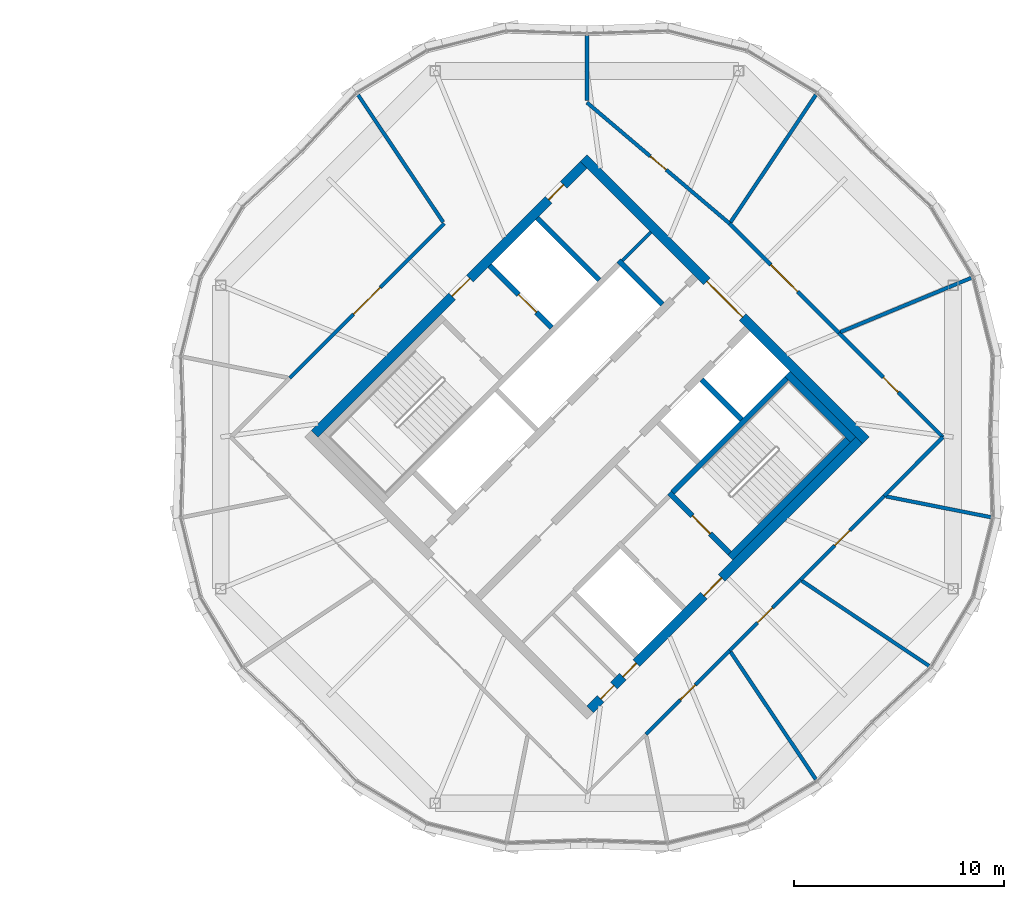
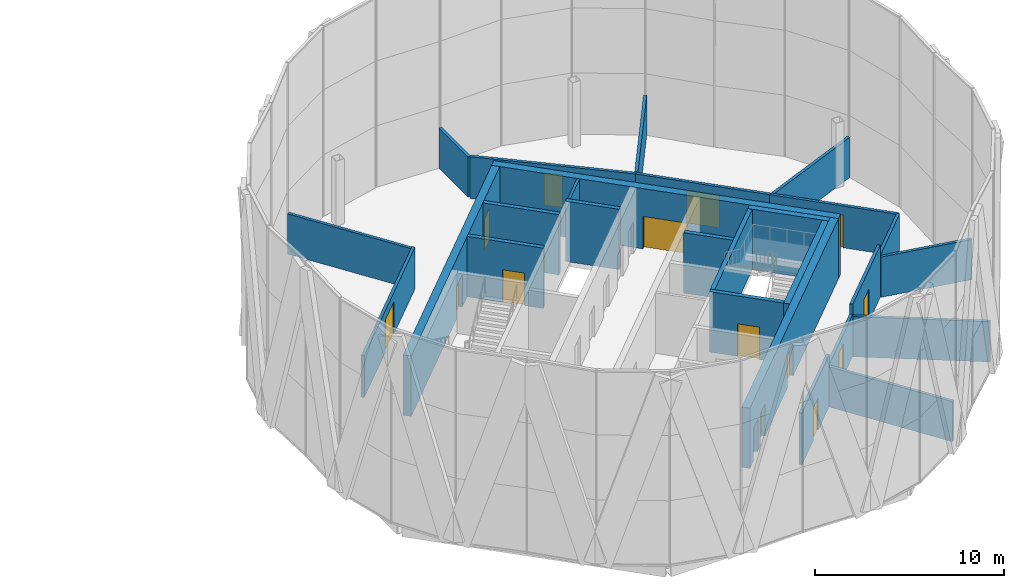
# One storey, part 20 of 23: 27 walls, 15 doors, 15 openings.
"""IFC4 building model written with IfcOpenShell, lengths in metres."""

from ifc_helpers import new_model, si_unit, direction, frame, frame_2d, origin, place, context, subcontext, project, spatial, rectangle, extrude, material, layer, layer_set, type_object, element, fill, save


model = new_model("IFC4")

# Units and contexts
model_context = context("Model", 3, precision=1e-05, world=origin(), true_north=direction((0.0, 1.0)))
body_context = subcontext(model_context, "Body", "Model", "MODEL_VIEW")
ifc_project = project(units=[si_unit("LENGTHUNIT", "METRE"), si_unit("AREAUNIT", "SQUARE_METRE"), si_unit("VOLUMEUNIT", "CUBIC_METRE"), si_unit("PLANEANGLEUNIT", "RADIAN"), si_unit("MASSUNIT", "GRAM", prefix="KILO")], contexts=[model_context])

# Site, building, storey
site_placement = place(None, origin())
site = spatial("IfcSite", under=ifc_project, at=site_placement, CompositionType="ELEMENT")
building_placement = place(site_placement, origin())
building = spatial("IfcBuilding", under=site, at=building_placement, Name="Ogive Gate Towers", CompositionType="ELEMENT")
storey_placement = place(building_placement, frame((0.0, 0.0, 256.199951171875)))
storey = spatial("IfcBuildingStorey", under=building, at=storey_placement, Name="L60", CompositionType="ELEMENT", Elevation=256.199951171875)

# Walls
ifc_material_1 = material(Name="Gypsum board acoustic partition")
ifc_layer_1 = layer(ifc_material_1, 0.175048828125)
ifc_layer_set_1 = layer_set([ifc_layer_1], Name="Acoustic partition 175")
wall_type_1 = type_object("IfcWallType", Name="Acoustic partition 175", PredefinedType="PARTITIONING", material=ifc_layer_set_1)
wall_1_placement = place(storey_placement, frame((54.29296875, 7.5771484375, 0.0), z_axis=(0.0, 0.0, 1.0), x_axis=(-0.923879560548, -0.382683364678, 0.0)))
element("IfcWall", 1, at=wall_1_placement, inside=storey, type_object=wall_type_1, Name="Partition T2-L60-001", PredefinedType="PARTITIONING", context=body_context, shape_type="SweptSolid", body=[
    extrude(rectangle(XDim=6.741455078125, YDim=0.175048828125, at=frame_2d((3.37060546875, 0.0))), origin(), (0.0, 0.0, 1.0), 2.60009765625),
])
wall_2_placement = place(storey_placement, frame((46.896484375, 16.291259765625, 0.0), z_axis=(0.0, 0.0, 1.0), x_axis=(-0.55596678997, -0.83120450459, 0.0)))
element("IfcWall", 2, at=wall_2_placement, inside=storey, type_object=wall_type_1, Name="Partition T2-L60-002", PredefinedType="PARTITIONING", context=body_context, shape_type="SweptSolid", body=[
    extrude(rectangle(XDim=7.291259765625, YDim=0.175048828125, at=frame_2d((3.6455078125, 0.0))), origin(), (0.0, 0.0, 1.0), 2.60009765625),
])
wall_3_placement = place(storey_placement, frame((36.0, 19.09912109375, 0.0), z_axis=(0.0, 0.0, 1.0), x_axis=(0.0, -1.0, 0.0)))
element("IfcWall", 3, at=wall_3_placement, inside=storey, type_object=wall_type_1, Name="Partition T2-L60-003", PredefinedType="PARTITIONING", context=body_context, shape_type="SweptSolid", body=[
    extrude(rectangle(XDim=3.091552734375, YDim=0.175048828125, at=frame_2d((1.5458984375, 0.0))), origin(), (0.0, 0.0, 1.0), 2.60009765625),
])
for number, where, z_axis, x_axis, name in (
    (4, (25.103515625, 16.291259765625, 0.0), (0.0, 0.0, 1.0), (0.55596678997, -0.83120450459, 0.0), "Partition T2-L60-004"),
    (5, (46.896484375, -16.291259765625, 0.0), (0.0, 0.0, 1.0), (-0.55596678997, 0.83120450459, 0.0), "Partition T2-L60-010"),
    (6, (52.291259765625, -10.896484375, 0.0), (0.0, 0.0, 1.0), (-0.83120450459, 0.55596678997, 0.0), "Partition T2-L60-011"),
):
    element("IfcWall", number, at=place(storey_placement, frame(where, z_axis=z_axis, x_axis=x_axis)), inside=storey, type_object=wall_type_1, Name=name, PredefinedType="PARTITIONING", context=body_context, shape_type="SweptSolid", body=[
        extrude(rectangle(XDim=7.291259765625, YDim=0.175048828125, at=frame_2d((3.6455078125, 0.0))), origin(), (0.0, 0.0, 1.0), 2.60009765625),
    ])
wall_4_placement = place(storey_placement, frame((55.224609375, -3.814697265625, 0.0), z_axis=(0.0, 0.0, 1.0), x_axis=(-0.980874659821, 0.194640442152, 0.0)))
element("IfcWall", 7, at=wall_4_placement, inside=storey, type_object=wall_type_1, Name="Partition T2-L60-012", PredefinedType="PARTITIONING", context=body_context, shape_type="SweptSolid", body=[
    extrude(rectangle(XDim=5.09130859375, YDim=0.175048828125, at=frame_2d((2.545654296875, 0.0))), origin(), (0.0, 0.0, 1.0), 2.60009765625),
])

# Wall, opening, door
wall_5_placement = place(storey_placement, frame((42.794189453125, -10.157958984375, 0.0), z_axis=(0.0, 0.0, 1.0), x_axis=(0.707106781187, 0.707106781187, 0.0)))
wall_5 = element("IfcWall", 8, at=wall_5_placement, inside=storey, type_object=wall_type_1, Name="Partition T2-L60-013", PredefinedType="PARTITIONING", context=body_context, shape_type="SweptSolid", body=[
    extrude(rectangle(XDim=4.757080078125, YDim=0.175048828125, at=frame_2d((2.37841796875, 0.0))), origin(), (0.0, 0.0, 1.0), 2.699951171875),
])
opening_1_placement = place(wall_5_placement, frame((1.87890625, 0.0, 0.0)))
opening_1 = element("IfcOpeningElement", 9, at=opening_1_placement, cuts=wall_5, Name="Opening T2-L60-D01", PredefinedType="OPENING", context=body_context, shape_type="SweptSolid", body=[
    extrude(rectangle(XDim=1.0, YDim=2.10009765625, at=frame_2d((0.5, 1.050048828125))), frame((0.0, 0.09765625, 0.0), z_axis=(0.0, -1.0, 0.0), x_axis=(1.0, 0.0, 0.0)), (0.0, 0.0, 1.0), 0.195068359375),
])
ifc_material_2 = material(Name="Timber door", Category="wood")
door_type_1 = type_object("IfcDoorType", Name="Door 1000", OperationType="NOTDEFINED", PredefinedType="DOOR", material=ifc_material_2)
door_1_placement = place(opening_1_placement, origin())
door_1 = element("IfcDoor", 10, at=door_1_placement, inside=storey, type_object=door_type_1, Name="Door T2-L60-D01", OperationType="SINGLE_SWING_RIGHT", OverallHeight=2.10009765625, OverallWidth=1.0, PredefinedType="DOOR", context=body_context, shape_type="SweptSolid", body=[
    extrude(rectangle(XDim=1.0, YDim=2.10009765625, at=frame_2d((0.5, 1.050048828125))), frame((0.0, 0.02490234375, 0.0), z_axis=(0.0, -1.0, 0.0), x_axis=(1.0, 0.0, 0.0)), (0.0, 0.0, 1.0), 0.050048828125),
])
fill(opening_1, door_1)

wall_6_placement = place(storey_placement, frame((46.157958984375, -6.794189453125, 0.0), z_axis=(0.0, 0.0, 1.0), x_axis=(0.707041832537, 0.707171723871, 0.0)))
wall_6 = element("IfcWall", 11, at=wall_6_placement, inside=storey, type_object=wall_type_1, Name="Partition T2-L60-014", PredefinedType="PARTITIONING", context=body_context, shape_type="SweptSolid", body=[
    extrude(rectangle(XDim=5.638671875, YDim=0.175048828125, at=frame_2d((2.8193359375, 0.0))), origin(), (0.0, 0.0, 1.0), 3.35009765625),
])
opening_2_placement = place(wall_6_placement, frame((2.319091796875, 0.0, 0.0)))
opening_2 = element("IfcOpeningElement", 12, at=opening_2_placement, cuts=wall_6, Name="Opening T2-L60-D02", PredefinedType="OPENING", context=body_context, shape_type="SweptSolid", body=[
    extrude(rectangle(XDim=1.0, YDim=2.10009765625, at=frame_2d((0.5, 1.050048828125))), frame((0.0, 0.09765625, 0.0), z_axis=(0.0, -1.0, 0.0), x_axis=(1.0, 0.0, 0.0)), (0.0, 0.0, 1.0), 0.195068359375),
])
door_2_placement = place(opening_2_placement, origin())
door_2 = element("IfcDoor", 13, at=door_2_placement, inside=storey, type_object=door_type_1, Name="Door T2-L60-D02", OperationType="SINGLE_SWING_RIGHT", OverallHeight=2.10009765625, OverallWidth=1.0, PredefinedType="DOOR", context=body_context, shape_type="SweptSolid", body=[
    extrude(rectangle(XDim=1.0, YDim=2.10009765625, at=frame_2d((0.5, 1.050048828125))), frame((0.0, 0.02490234375, 0.0), z_axis=(0.0, -1.0, 0.0), x_axis=(1.0, 0.0, 0.0)), (0.0, 0.0, 1.0), 0.050048828125),
])
fill(opening_2, door_2)

wall_7_placement = place(storey_placement, frame((52.9423828125, 0.0, 0.0), z_axis=(0.0, 0.0, 1.0), x_axis=(-0.706741328915, 0.70747204468, 0.0)))
wall_7 = element("IfcWall", 14, at=wall_7_placement, inside=storey, type_object=wall_type_1, Name="Partition T2-L60-015", PredefinedType="PARTITIONING", context=body_context, shape_type="SweptSolid", body=[
    extrude(rectangle(XDim=7.016357421875, YDim=0.175048828125, at=frame_2d((3.50830078125, 0.0))), origin(), (0.0, 0.0, 1.0), 2.699951171875),
])
opening_3_placement = place(wall_7_placement, frame((3.008056640625, 0.0, 0.0)))
opening_3 = element("IfcOpeningElement", 15, at=opening_3_placement, cuts=wall_7, Name="Opening T2-L60-D03", PredefinedType="OPENING", context=body_context, shape_type="SweptSolid", body=[
    extrude(rectangle(XDim=1.0, YDim=2.10009765625, at=frame_2d((0.5, 1.050048828125))), frame((0.0, 0.09765625, 0.0), z_axis=(0.0, -1.0, 0.0), x_axis=(1.0, 0.0, 0.0)), (0.0, 0.0, 1.0), 0.195068359375),
])
door_3_placement = place(opening_3_placement, origin())
door_3 = element("IfcDoor", 16, at=door_3_placement, inside=storey, type_object=door_type_1, Name="Door T2-L60-D03", OperationType="SINGLE_SWING_RIGHT", OverallHeight=2.10009765625, OverallWidth=1.0, PredefinedType="DOOR", context=body_context, shape_type="SweptSolid", body=[
    extrude(rectangle(XDim=1.0, YDim=2.10009765625, at=frame_2d((0.5, 1.050048828125))), frame((0.0, 0.02490234375, 0.0), z_axis=(0.0, -1.0, 0.0), x_axis=(1.0, 0.0, 0.0)), (0.0, 0.0, 1.0), 0.050048828125),
])
fill(opening_3, door_3)

# Wall
wall_8_placement = place(storey_placement, frame((50.144775390625, -2.806640625, 0.0), z_axis=(0.0, 0.0, 1.0), x_axis=(0.705966114567, 0.708245610705, 0.0)))
element("IfcWall", 17, at=wall_8_placement, inside=storey, type_object=wall_type_1, Name="Partition T2-L60-016", PredefinedType="PARTITIONING", context=body_context, shape_type="SweptSolid", body=[
    extrude(rectangle(XDim=3.962890625, YDim=0.175048828125, at=frame_2d((1.9814453125, 0.0))), origin(), (0.0, 0.0, 1.0), 2.699951171875),
])

# Wall, opening, door
wall_9_placement = place(storey_placement, frame((47.983642578125, 4.9638671875, 0.0), z_axis=(0.0, 0.0, 1.0), x_axis=(-0.706790822746, 0.70742259851, 0.0)))
wall_9 = element("IfcWall", 18, at=wall_9_placement, inside=storey, type_object=wall_type_1, Name="Partition T2-L60-017", PredefinedType="PARTITIONING", context=body_context, shape_type="SweptSolid", body=[
    extrude(rectangle(XDim=7.34228515625, YDim=0.175048828125, at=frame_2d((3.671142578125, 0.0))), origin(), (0.0, 0.0, 1.0), 2.699951171875),
])
opening_4_placement = place(wall_9_placement, frame((2.77099609375, 0.0, 0.0)))
opening_4 = element("IfcOpeningElement", 19, at=opening_4_placement, cuts=wall_9, Name="Opening T2-L60-D04", PredefinedType="OPENING", context=body_context, shape_type="SweptSolid", body=[
    extrude(rectangle(XDim=1.800048828125, YDim=2.10009765625, at=frame_2d((0.89990234375, 1.050048828125))), frame((0.0, 0.09765625, 0.0), z_axis=(0.0, -1.0, 0.0), x_axis=(1.0, 0.0, 0.0)), (0.0, 0.0, 1.0), 0.195068359375),
])
door_type_2 = type_object("IfcDoorType", Name="Door pair 1800", OperationType="NOTDEFINED", PredefinedType="DOOR", material=ifc_material_2)
door_4_placement = place(opening_4_placement, origin())
door_4 = element("IfcDoor", 20, at=door_4_placement, inside=storey, type_object=door_type_2, Name="Door T2-L60-D04", OperationType="DOUBLE_DOOR_DOUBLE_SWING", OverallHeight=2.10009765625, OverallWidth=1.800048828125, PredefinedType="DOOR", context=body_context, shape_type="SweptSolid", body=[
    extrude(rectangle(XDim=1.800048828125, YDim=2.10009765625, at=frame_2d((0.89990234375, 1.050048828125))), frame((0.0, 0.02490234375, 0.0), z_axis=(0.0, -1.0, 0.0), x_axis=(1.0, 0.0, 0.0)), (0.0, 0.0, 1.0), 0.050048828125),
])
fill(opening_4, door_4)

wall_10_placement = place(storey_placement, frame((42.794189453125, 10.157958984375, 0.0), z_axis=(0.0, 0.0, 1.0), x_axis=(-0.762650867546, 0.646810369608, 0.0)))
wall_10 = element("IfcWall", 21, at=wall_10_placement, inside=storey, type_object=wall_type_1, Name="Partition T2-L60-018", PredefinedType="PARTITIONING", context=body_context, shape_type="SweptSolid", body=[
    extrude(rectangle(XDim=8.90869140625, YDim=0.175048828125, at=frame_2d((4.454345703125, 0.0))), origin(), (0.0, 0.0, 1.0), 2.699951171875),
])
opening_5_placement = place(wall_10_placement, frame((3.9541015625, 0.0, 0.0)))
opening_5 = element("IfcOpeningElement", 22, at=opening_5_placement, cuts=wall_10, Name="Opening T2-L60-D05", PredefinedType="OPENING", context=body_context, shape_type="SweptSolid", body=[
    extrude(rectangle(XDim=1.0, YDim=2.10009765625, at=frame_2d((0.5, 1.050048828125))), frame((0.0, 0.09765625, 0.0), z_axis=(0.0, -1.0, 0.0), x_axis=(1.0, 0.0, 0.0)), (0.0, 0.0, 1.0), 0.195068359375),
])
door_5_placement = place(opening_5_placement, origin())
door_5 = element("IfcDoor", 23, at=door_5_placement, inside=storey, type_object=door_type_1, Name="Door T2-L60-D05", OperationType="SINGLE_SWING_LEFT", OverallHeight=2.10009765625, OverallWidth=1.0, PredefinedType="DOOR", context=body_context, shape_type="SweptSolid", body=[
    extrude(rectangle(XDim=1.0, YDim=2.10009765625, at=frame_2d((0.5, 1.050048828125))), frame((0.0, 0.02490234375, 0.0), z_axis=(0.0, -1.0, 0.0), x_axis=(1.0, 0.0, 0.0)), (0.0, 0.0, 1.0), 0.050048828125),
])
fill(opening_5, door_5)

wall_11_placement = place(storey_placement, frame((29.205810546875, 10.157958984375, 0.0), z_axis=(0.0, 0.0, 1.0), x_axis=(-0.707071553548, -0.70714200707, 0.0)))
wall_11 = element("IfcWall", 24, at=wall_11_placement, inside=storey, type_object=wall_type_1, Name="Partition T2-L60-019", PredefinedType="PARTITIONING", context=body_context, shape_type="SweptSolid", body=[
    extrude(rectangle(XDim=10.395751953125, YDim=0.175048828125, at=frame_2d((5.19775390625, 0.0))), origin(), (0.0, 0.0, 1.0), 2.699951171875),
])
opening_6_placement = place(wall_11_placement, frame((4.298095703125, 0.0, 0.0)))
opening_6 = element("IfcOpeningElement", 25, at=opening_6_placement, cuts=wall_11, Name="Opening T2-L60-D06", PredefinedType="OPENING", context=body_context, shape_type="SweptSolid", body=[
    extrude(rectangle(XDim=1.800048828125, YDim=2.10009765625, at=frame_2d((0.89990234375, 1.050048828125))), frame((0.0, 0.09765625, 0.0), z_axis=(0.0, -1.0, 0.0), x_axis=(1.0, 0.0, 0.0)), (0.0, 0.0, 1.0), 0.195068359375),
])
door_6_placement = place(opening_6_placement, origin())
door_6 = element("IfcDoor", 26, at=door_6_placement, inside=storey, type_object=door_type_2, Name="Door T2-L60-D06", OperationType="DOUBLE_DOOR_DOUBLE_SWING", OverallHeight=2.10009765625, OverallWidth=1.800048828125, PredefinedType="DOOR", context=body_context, shape_type="SweptSolid", body=[
    extrude(rectangle(XDim=1.800048828125, YDim=2.10009765625, at=frame_2d((0.89990234375, 1.050048828125))), frame((0.0, 0.02490234375, 0.0), z_axis=(0.0, -1.0, 0.0), x_axis=(1.0, 0.0, 0.0)), (0.0, 0.0, 1.0), 0.050048828125),
])
fill(opening_6, door_6)

wall_12_placement = place(storey_placement, frame((38.806640625, -14.144775390625, 0.0), z_axis=(0.0, 0.0, 1.0), x_axis=(0.707171723871, 0.707041832537, 0.0)))
wall_12 = element("IfcWall", 27, at=wall_12_placement, inside=storey, type_object=wall_type_1, Name="Partition T2-L60-026", PredefinedType="PARTITIONING", context=body_context, shape_type="SweptSolid", body=[
    extrude(rectangle(XDim=5.638671875, YDim=0.175048828125, at=frame_2d((2.8193359375, 0.0))), origin(), (0.0, 0.0, 1.0), 3.35009765625),
])
opening_7_placement = place(wall_12_placement, frame((2.319091796875, 0.0, 0.0)))
opening_7 = element("IfcOpeningElement", 28, at=opening_7_placement, cuts=wall_12, Name="Opening T2-L60-D11", PredefinedType="OPENING", context=body_context, shape_type="SweptSolid", body=[
    extrude(rectangle(XDim=1.0, YDim=2.10009765625, at=frame_2d((0.5, 1.050048828125))), frame((0.0, 0.09765625, 0.0), z_axis=(0.0, -1.0, 0.0), x_axis=(1.0, 0.0, 0.0)), (0.0, 0.0, 1.0), 0.195068359375),
])
door_7_placement = place(opening_7_placement, origin())
door_7 = element("IfcDoor", 29, at=door_7_placement, inside=storey, type_object=door_type_1, Name="Door T2-L60-D11", OperationType="SINGLE_SWING_RIGHT", OverallHeight=2.10009765625, OverallWidth=1.0, PredefinedType="DOOR", context=body_context, shape_type="SweptSolid", body=[
    extrude(rectangle(XDim=1.0, YDim=2.10009765625, at=frame_2d((0.5, 1.050048828125))), frame((0.0, 0.02490234375, 0.0), z_axis=(0.0, -1.0, 0.0), x_axis=(1.0, 0.0, 0.0)), (0.0, 0.0, 1.0), 0.050048828125),
])
fill(opening_7, door_7)

# Wall, openings, doors
ifc_material_3 = material(Name="Concrete C60/75", Category="concrete")
ifc_layer_2 = layer(ifc_material_3, 0.449951171875)
ifc_layer_set_2 = layer_set([ifc_layer_2], Name="Core wall 450 mm")
wall_type_2 = type_object("IfcWallType", Name="Core wall 450 mm", PredefinedType="SHEAR", material=ifc_layer_set_2)
wall_13_placement = place(storey_placement, frame((36.1591796875, -12.957763671875, 0.0), z_axis=(0.0, 0.0, 1.0), x_axis=(0.707106781187, 0.707106781187, 0.0)))
wall_13 = element("IfcWall", 30, at=wall_13_placement, inside=storey, type_object=wall_type_2, Name="T2 L60 Core wall 450 mm", PredefinedType="SHEAR", context=body_context, shape_type="SweptSolid", body=[
    extrude(rectangle(XDim=18.099853515625, YDim=0.449951171875, at=frame_2d((9.0498046875, 0.0))), origin(), (0.0, 0.0, 1.0), 3.900146484375),
])
opening_8_placement = place(wall_13_placement, frame((7.64990234375, 0.0, 0.0)))
opening_8 = element("IfcOpeningElement", 31, at=opening_8_placement, cuts=wall_13, Name="Opening KD-T2-L60-19", PredefinedType="OPENING", context=body_context, shape_type="SweptSolid", body=[
    extrude(rectangle(XDim=1.199951171875, YDim=2.10009765625, at=frame_2d((0.60009765625, 1.050048828125))), frame((0.0, 0.23486328125, 0.0), z_axis=(0.0, -1.0, 0.0), x_axis=(1.0, 0.0, 0.0)), (0.0, 0.0, 1.0), 0.469970703125),
])
opening_9_placement = place(wall_13_placement, frame((0.699951171875, 0.0, 0.0)))
opening_9 = element("IfcOpeningElement", 32, at=opening_9_placement, cuts=wall_13, Name="Opening KD-T2-L60-21", PredefinedType="OPENING", context=body_context, shape_type="SweptSolid", body=[
    extrude(rectangle(XDim=0.89990234375, YDim=2.10009765625, at=frame_2d((0.449951171875, 1.050048828125))), frame((0.0, 0.23486328125, 0.0), z_axis=(0.0, -1.0, 0.0), x_axis=(1.0, 0.0, 0.0)), (0.0, 0.0, 1.0), 0.469970703125),
])
opening_10_placement = place(wall_13_placement, frame((2.199951171875, 0.0, 0.0)))
opening_10 = element("IfcOpeningElement", 33, at=opening_10_placement, cuts=wall_13, Name="Opening KD-T2-L60-22", PredefinedType="OPENING", context=body_context, shape_type="SweptSolid", body=[
    extrude(rectangle(XDim=0.89990234375, YDim=2.10009765625, at=frame_2d((0.449951171875, 1.050048828125))), frame((0.0, 0.23486328125, 0.0), z_axis=(0.0, -1.0, 0.0), x_axis=(1.0, 0.0, 0.0)), (0.0, 0.0, 1.0), 0.469970703125),
])
door_type_3 = type_object("IfcDoorType", Name="Core WC door 900 x 2100", OperationType="NOTDEFINED", PredefinedType="DOOR", material=ifc_material_2)
door_8_placement = place(opening_9_placement, origin())
door_8 = element("IfcDoor", 34, at=door_8_placement, inside=storey, type_object=door_type_3, Name="T2 L60 Core door", OperationType="SINGLE_SWING_RIGHT", OverallHeight=2.10009765625, OverallWidth=0.89990234375, PredefinedType="DOOR", context=body_context, shape_type="SweptSolid", body=[
    extrude(rectangle(XDim=0.89990234375, YDim=2.10009765625, at=frame_2d((0.449951171875, 1.050048828125))), frame((0.0, 0.02490234375, 0.0), z_axis=(0.0, -1.0, 0.0), x_axis=(1.0, 0.0, 0.0)), (0.0, 0.0, 1.0), 0.050048828125),
])
fill(opening_9, door_8)
door_9_placement = place(opening_10_placement, origin())
door_9 = element("IfcDoor", 35, at=door_9_placement, inside=storey, type_object=door_type_3, Name="T2 L60 Core door", OperationType="SINGLE_SWING_LEFT", OverallHeight=2.10009765625, OverallWidth=0.89990234375, PredefinedType="DOOR", context=body_context, shape_type="SweptSolid", body=[
    extrude(rectangle(XDim=0.89990234375, YDim=2.10009765625, at=frame_2d((0.449951171875, 1.050048828125))), frame((0.0, 0.02490234375, 0.0), z_axis=(0.0, -1.0, 0.0), x_axis=(1.0, 0.0, 0.0)), (0.0, 0.0, 1.0), 0.050048828125),
])
fill(opening_10, door_9)
ifc_material_4 = material(Name="Steel fire door", Category="steel")
door_type_4 = type_object("IfcDoorType", Name="Core door FD60S 1200 x 2100", OperationType="NOTDEFINED", PredefinedType="DOOR", material=ifc_material_4)
door_10_placement = place(opening_8_placement, origin())
door_10 = element("IfcDoor", 36, at=door_10_placement, inside=storey, type_object=door_type_4, Name="T2 L60 Fire-fighting lobby door", OperationType="SINGLE_SWING_RIGHT", OverallHeight=2.10009765625, OverallWidth=1.199951171875, PredefinedType="DOOR", context=body_context, shape_type="SweptSolid", body=[
    extrude(rectangle(XDim=1.199951171875, YDim=2.10009765625, at=frame_2d((0.60009765625, 1.050048828125))), frame((0.0, 0.02490234375, 0.0), z_axis=(0.0, -1.0, 0.0), x_axis=(1.0, 0.0, 0.0)), (0.0, 0.0, 1.0), 0.050048828125),
])
fill(opening_8, door_10)

wall_14_placement = place(storey_placement, frame((23.042236328125, 0.1591796875, 0.0), z_axis=(0.0, 0.0, 1.0), x_axis=(0.707106781187, 0.707106781187, 0.0)))
wall_14 = element("IfcWall", 37, at=wall_14_placement, inside=storey, type_object=wall_type_2, Name="T2 L60 Core wall 450 mm", PredefinedType="SHEAR", context=body_context, shape_type="SweptSolid", body=[
    extrude(rectangle(XDim=18.099853515625, YDim=0.449951171875, at=frame_2d((9.0498046875, 0.0))), origin(), (0.0, 0.0, 1.0), 3.900146484375),
])
opening_11_placement = place(wall_14_placement, frame((9.25, 0.0, 0.0)))
opening_11 = element("IfcOpeningElement", 38, at=opening_11_placement, cuts=wall_14, Name="Opening KD-T2-L60-18", PredefinedType="OPENING", context=body_context, shape_type="SweptSolid", body=[
    extrude(rectangle(XDim=1.199951171875, YDim=2.10009765625, at=frame_2d((0.60009765625, 1.050048828125))), frame((0.0, 0.23486328125, 0.0), z_axis=(0.0, -1.0, 0.0), x_axis=(1.0, 0.0, 0.0)), (0.0, 0.0, 1.0), 0.469970703125),
])
opening_12_placement = place(wall_14_placement, frame((15.75, 0.0, 0.0)))
opening_12 = element("IfcOpeningElement", 39, at=opening_12_placement, cuts=wall_14, Name="Opening KD-T2-L60-20", PredefinedType="OPENING", context=body_context, shape_type="SweptSolid", body=[
    extrude(rectangle(XDim=1.0, YDim=2.10009765625, at=frame_2d((0.5, 1.050048828125))), frame((0.0, 0.23486328125, 0.0), z_axis=(0.0, -1.0, 0.0), x_axis=(1.0, 0.0, 0.0)), (0.0, 0.0, 1.0), 0.469970703125),
])
door_type_5 = type_object("IfcDoorType", Name="Accessible WC door 1000 x 2100", OperationType="NOTDEFINED", PredefinedType="DOOR", material=ifc_material_2)
door_11_placement = place(opening_12_placement, origin())
door_11 = element("IfcDoor", 40, at=door_11_placement, inside=storey, type_object=door_type_5, Name="T2 L60 Core door", OperationType="SINGLE_SWING_LEFT", OverallHeight=2.10009765625, OverallWidth=1.0, PredefinedType="DOOR", context=body_context, shape_type="SweptSolid", body=[
    extrude(rectangle(XDim=1.0, YDim=2.10009765625, at=frame_2d((0.5, 1.050048828125))), frame((0.0, 0.02490234375, 0.0), z_axis=(0.0, -1.0, 0.0), x_axis=(1.0, 0.0, 0.0)), (0.0, 0.0, 1.0), 0.050048828125),
])
fill(opening_12, door_11)
door_12_placement = place(opening_11_placement, origin())
door_12 = element("IfcDoor", 41, at=door_12_placement, inside=storey, type_object=door_type_4, Name="T2 L60 Fire-fighting lobby door", OperationType="SINGLE_SWING_LEFT", OverallHeight=2.10009765625, OverallWidth=1.199951171875, PredefinedType="DOOR", context=body_context, shape_type="SweptSolid", body=[
    extrude(rectangle(XDim=1.199951171875, YDim=2.10009765625, at=frame_2d((0.60009765625, 1.050048828125))), frame((0.0, 0.02490234375, 0.0), z_axis=(0.0, -1.0, 0.0), x_axis=(1.0, 0.0, 0.0)), (0.0, 0.0, 1.0), 0.050048828125),
])
fill(opening_11, door_12)

# Wall, opening, door
wall_15_placement = place(storey_placement, frame((49.27587890625, -0.1591796875, 0.0), z_axis=(0.0, 0.0, 1.0), x_axis=(-0.707106781187, 0.707106781187, 0.0)))
wall_15 = element("IfcWall", 42, at=wall_15_placement, inside=storey, type_object=wall_type_2, Name="T2 L60 Core wall 450 mm", PredefinedType="SHEAR", context=body_context, shape_type="SweptSolid", body=[
    extrude(rectangle(XDim=19.0, YDim=0.449951171875, at=frame_2d((9.5, 0.0))), origin(), (0.0, 0.0, 1.0), 3.900146484375),
])
opening_13_placement = place(wall_15_placement, frame((8.300048828125, 0.0, 0.0)))
opening_13 = element("IfcOpeningElement", 43, at=opening_13_placement, cuts=wall_15, Name="Opening KD-T2-L60-02", PredefinedType="OPENING", context=body_context, shape_type="SweptSolid", body=[
    extrude(rectangle(XDim=2.39990234375, YDim=2.10009765625, at=frame_2d((1.199951171875, 1.050048828125))), frame((0.0, 0.23486328125, 0.0), z_axis=(0.0, -1.0, 0.0), x_axis=(1.0, 0.0, 0.0)), (0.0, 0.0, 1.0), 0.469970703125),
])
door_type_6 = type_object("IfcDoorType", Name="Core double door FD60S 2400 x 2100", OperationType="DOUBLE_DOOR_SINGLE_SWING", PredefinedType="DOOR", material=ifc_material_4)
door_13_placement = place(opening_13_placement, origin())
door_13 = element("IfcDoor", 44, at=door_13_placement, inside=storey, type_object=door_type_6, Name="T2 L60 Core door double", OperationType="DOUBLE_DOOR_SINGLE_SWING", OverallHeight=2.10009765625, OverallWidth=2.39990234375, PredefinedType="DOOR", context=body_context, shape_type="SweptSolid", body=[
    extrude(rectangle(XDim=2.39990234375, YDim=2.10009765625, at=frame_2d((1.199951171875, 1.050048828125))), frame((0.0, 0.02490234375, 0.0), z_axis=(0.0, -1.0, 0.0), x_axis=(1.0, 0.0, 0.0)), (0.0, 0.0, 1.0), 0.050048828125),
])
fill(opening_13, door_13)

# Walls
ifc_material_5 = material(Name="Gypsum board partition")
ifc_layer_3 = layer(ifc_material_5, 0.14990234375)
ifc_layer_set_3 = layer_set([ifc_layer_3], Name="Room partition 150 mm")
wall_type_3 = type_object("IfcWallType", Name="Room partition 150 mm", PredefinedType="PARTITIONING", material=ifc_layer_set_3)
wall_16_placement = place(storey_placement, frame((37.679443359375, 8.39697265625, 0.0), z_axis=(0.0, 0.0, 1.0), x_axis=(0.707106781187, 0.707106781187, 0.0)))
element("IfcWall", 45, at=wall_16_placement, inside=storey, type_object=wall_type_3, Name="T2 L60 Room partition 150 mm", PredefinedType="PARTITIONING", context=body_context, shape_type="SweptSolid", body=[
    extrude(rectangle(XDim=1.9248046875, YDim=0.14990234375, at=frame_2d((0.96240234375, 0.0))), origin(), (0.0, 0.0, 1.0), 3.900146484375),
])
ifc_layer_4 = layer(ifc_material_3, 0.25)
ifc_layer_set_4 = layer_set([ifc_layer_4], Name="Shaft wall 250 mm")
wall_type_4 = type_object("IfcWallType", Name="Shaft wall 250 mm", PredefinedType="SHEAR", material=ifc_layer_set_4)
wall_17_placement = place(storey_placement, frame((40.08349609375, -2.634033203125, 0.0), z_axis=(0.0, 0.0, 1.0), x_axis=(0.707090876314, 0.707122685701, 0.0)))
element("IfcWall", 46, at=wall_17_placement, inside=storey, type_object=wall_type_4, Name="T2 L60 Shaft wall 250 mm", PredefinedType="SHEAR", context=body_context, shape_type="SweptSolid", body=[
    extrude(rectangle(XDim=7.675048828125, YDim=0.25, at=frame_2d((3.83740234375, 0.0))), origin(), (0.0, 0.0, 1.0), 3.900146484375),
])

# Wall, opening, door
wall_18_placement = place(storey_placement, frame((42.7880859375, -5.515380859375, 0.0), z_axis=(0.0, 0.0, 1.0), x_axis=(-0.707106781187, 0.707106781187, 0.0)))
wall_18 = element("IfcWall", 47, at=wall_18_placement, inside=storey, type_object=wall_type_4, Name="T2 L60 Shaft wall 250 mm", PredefinedType="SHEAR", context=body_context, shape_type="SweptSolid", body=[
    extrude(rectangle(XDim=4.050048828125, YDim=0.25, at=frame_2d((2.02490234375, 0.0))), origin(), (0.0, 0.0, 1.0), 3.900146484375),
])
opening_14_placement = place(wall_18_placement, frame((1.300048828125, 0.0, 0.0)))
opening_14 = element("IfcOpeningElement", 48, at=opening_14_placement, cuts=wall_18, Name="Opening KD-T2-L60-17", PredefinedType="OPENING", context=body_context, shape_type="SweptSolid", body=[
    extrude(rectangle(XDim=1.199951171875, YDim=2.10009765625, at=frame_2d((0.60009765625, 1.050048828125))), frame((0.0, 0.135009765625, 0.0), z_axis=(0.0, -1.0, 0.0), x_axis=(1.0, 0.0, 0.0)), (0.0, 0.0, 1.0), 0.27001953125),
])
door_14_placement = place(opening_14_placement, origin())
door_14 = element("IfcDoor", 49, at=door_14_placement, inside=storey, type_object=door_type_4, Name="T2 L60 Stair door", OperationType="SINGLE_SWING_RIGHT", OverallHeight=2.10009765625, OverallWidth=1.199951171875, PredefinedType="DOOR", context=body_context, shape_type="SweptSolid", body=[
    extrude(rectangle(XDim=1.199951171875, YDim=2.10009765625, at=frame_2d((0.60009765625, 1.050048828125))), frame((0.0, 0.02490234375, 0.0), z_axis=(0.0, -1.0, 0.0), x_axis=(1.0, 0.0, 0.0)), (0.0, 0.0, 1.0), 0.050048828125),
])
fill(opening_14, door_14)

wall_19_placement = place(storey_placement, frame((34.320556640625, 5.21484375, 0.0), z_axis=(0.0, 0.0, 1.0), x_axis=(-0.707106781187, 0.707106781187, 0.0)))
wall_19 = element("IfcWall", 50, at=wall_19_placement, inside=storey, type_object=wall_type_4, Name="T2 L60 Shaft wall 250 mm", PredefinedType="SHEAR", context=body_context, shape_type="SweptSolid", body=[
    extrude(rectangle(XDim=4.175048828125, YDim=0.25, at=frame_2d((2.08740234375, 0.0))), origin(), (0.0, 0.0, 1.0), 3.900146484375),
])
opening_15_placement = place(wall_19_placement, frame((1.02490234375, 0.0, 0.0)))
opening_15 = element("IfcOpeningElement", 51, at=opening_15_placement, cuts=wall_19, Name="Opening LD-T2-L60-12", PredefinedType="OPENING", context=body_context, shape_type="SweptSolid", body=[
    extrude(rectangle(XDim=1.199951171875, YDim=2.10009765625, at=frame_2d((0.60009765625, 1.050048828125))), frame((0.0, 0.135009765625, 0.0), z_axis=(0.0, -1.0, 0.0), x_axis=(1.0, 0.0, 0.0)), (0.0, 0.0, 1.0), 0.27001953125),
])
ifc_material_6 = material(Name="Stainless steel landing door", Category="steel")
door_type_7 = type_object("IfcDoorType", Name="Landing door 1200 x 2100", OperationType="SLIDING_TO_LEFT", PredefinedType="DOOR", material=ifc_material_6)
door_15_placement = place(opening_15_placement, origin())
door_15 = element("IfcDoor", 52, at=door_15_placement, inside=storey, type_object=door_type_7, Name="T2 L60 Lift landing door FF1", OperationType="SLIDING_TO_LEFT", OverallHeight=2.10009765625, OverallWidth=1.199951171875, PredefinedType="DOOR", context=body_context, shape_type="SweptSolid", body=[
    extrude(rectangle(XDim=1.199951171875, YDim=2.10009765625, at=frame_2d((0.60009765625, 1.050048828125))), frame((0.0, 0.02490234375, 0.0), z_axis=(0.0, -1.0, 0.0), x_axis=(1.0, 0.0, 0.0)), (0.0, 0.0, 1.0), 0.050048828125),
])
fill(opening_15, door_15)

# Walls
wall_20_placement = place(storey_placement, frame((36.58349609375, 7.477783203125, 0.0), z_axis=(0.0, 0.0, 1.0), x_axis=(-0.707165256008, 0.707048301529, 0.0)))
element("IfcWall", 53, at=wall_20_placement, inside=storey, type_object=wall_type_4, Name="T2 L60 Shaft wall 250 mm", PredefinedType="SHEAR", context=body_context, shape_type="SweptSolid", body=[
    extrude(rectangle(XDim=4.175048828125, YDim=0.25, at=frame_2d((2.08740234375, 0.0))), origin(), (0.0, 0.0, 1.0), 3.900146484375),
])
wall_21_placement = place(storey_placement, frame((43.37158203125, 0.830810546875, 0.0), z_axis=(0.0, 0.0, 1.0), x_axis=(-0.707106781187, 0.707106781187, 0.0)))
element("IfcWall", 54, at=wall_21_placement, inside=storey, type_object=wall_type_4, Name="T2 L60 Shaft wall 250 mm", PredefinedType="SHEAR", context=body_context, shape_type="SweptSolid", body=[
    extrude(rectangle(XDim=2.699951171875, YDim=0.25, at=frame_2d((1.35009765625, 0.0))), origin(), (0.0, 0.0, 1.0), 3.900146484375),
])
wall_22_placement = place(storey_placement, frame((39.588623046875, 6.310791015625, 0.0), z_axis=(0.0, 0.0, 1.0), x_axis=(-0.707065402085, 0.707148157867, 0.0)))
element("IfcWall", 55, at=wall_22_placement, inside=storey, type_object=wall_type_4, Name="T2 L60 Shaft wall 250 mm", PredefinedType="SHEAR", context=body_context, shape_type="SweptSolid", body=[
    extrude(rectangle(XDim=2.9501953125, YDim=0.25, at=frame_2d((1.47509765625, 0.0))), origin(), (0.0, 0.0, 1.0), 3.900146484375),
])
ifc_layer_5 = layer(ifc_material_3, 0.35009765625)
ifc_layer_set_5 = layer_set([ifc_layer_5], Name="Stair wall 350 mm")
wall_type_5 = type_object("IfcWallType", Name="Stair wall 350 mm", PredefinedType="SHEAR", material=ifc_layer_set_5)
wall_23_placement = place(storey_placement, frame((42.823486328125, -5.7275390625, 0.0), z_axis=(0.0, 0.0, 1.0), x_axis=(0.707122184046, 0.707091377991, 0.0)))
element("IfcWall", 56, at=wall_23_placement, inside=storey, type_object=wall_type_5, Name="T2 L60 Stair wall 350 mm", PredefinedType="SHEAR", context=body_context, shape_type="SweptSolid", body=[
    extrude(rectangle(XDim=7.925048828125, YDim=0.35009765625, at=frame_2d((3.96240234375, 0.0))), origin(), (0.0, 0.0, 1.0), 3.900146484375),
])
wall_24_placement = place(storey_placement, frame((48.6748046875, -0.123779296875, 0.0), z_axis=(0.0, 0.0, 1.0), x_axis=(-0.707106781187, 0.707106781187, 0.0)))
element("IfcWall", 57, at=wall_24_placement, inside=storey, type_object=wall_type_5, Name="T2 L60 Stair wall 350 mm", PredefinedType="SHEAR", context=body_context, shape_type="SweptSolid", body=[
    extrude(rectangle(XDim=4.425048828125, YDim=0.35009765625, at=frame_2d((2.21240234375, 0.0))), origin(), (0.0, 0.0, 1.0), 3.900146484375),
])

save(model, "model.ifc")
